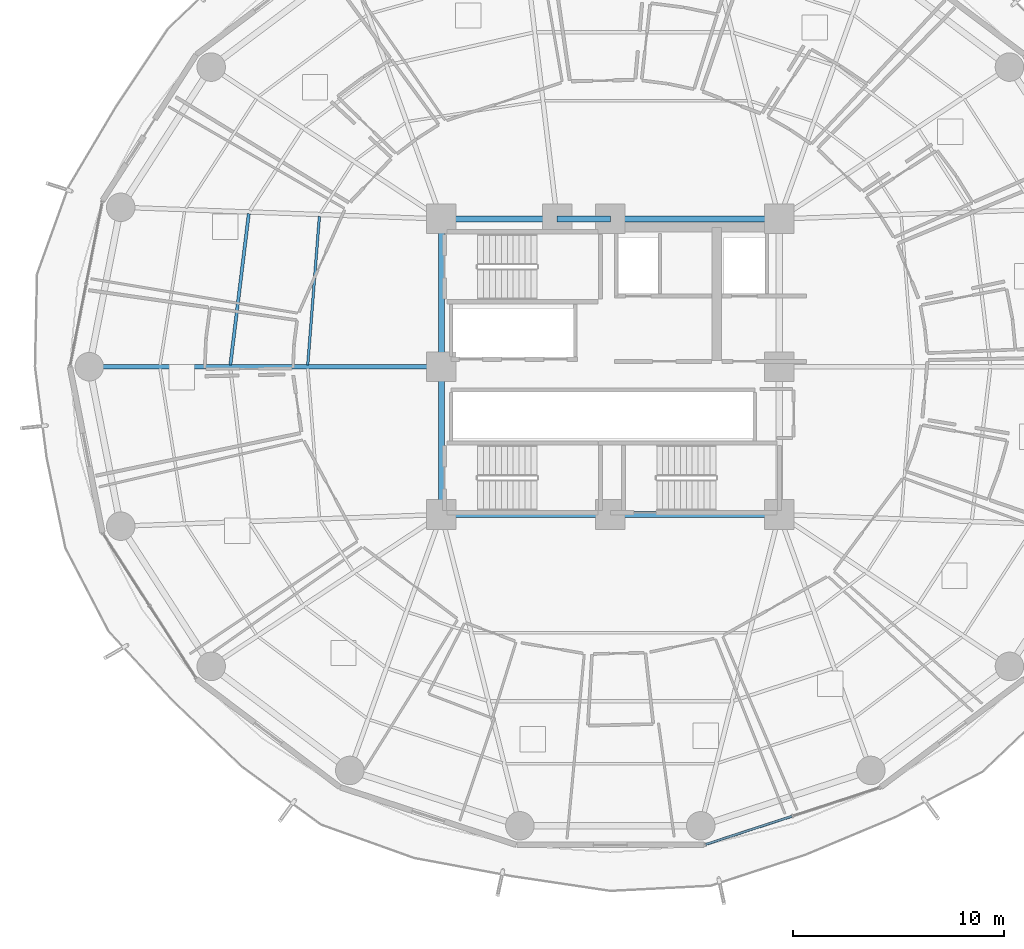
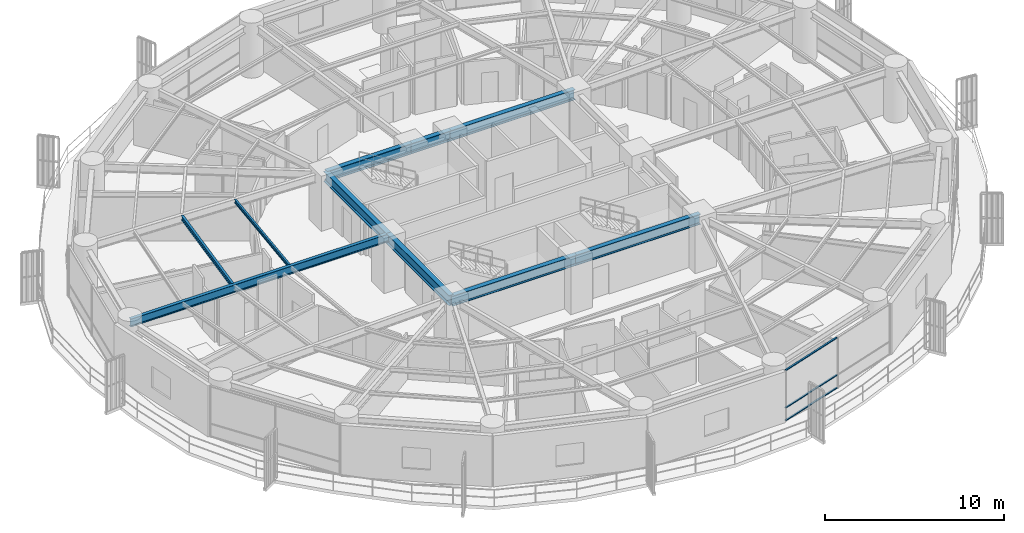
# One storey, part 9 of 35: 10 beams, 3 members, 1 element without a shape of its own.
"""IFC4 building model written with IfcOpenShell, lengths in metres."""

from ifc_helpers import new_model, si_unit, direction, frame, origin, origin_2d, place, context, subcontext, project, spatial, hollow_rectangle, i_section, extrude, material, layer, layer_set, material_profile, profile_set, type_object, element, aggregate, save


model = new_model("IFC4")

# Units and contexts
model_context = context("Model", 3, precision=1e-05, world=origin(), true_north=direction((0.0, 1.0)))
body_context = subcontext(model_context, "Body", "Model", "MODEL_VIEW")
ifc_project = project(units=[si_unit("LENGTHUNIT", "METRE"), si_unit("AREAUNIT", "SQUARE_METRE"), si_unit("VOLUMEUNIT", "CUBIC_METRE"), si_unit("PLANEANGLEUNIT", "RADIAN"), si_unit("MASSUNIT", "GRAM", prefix="KILO")], contexts=[model_context])

# Site, building, storey
site_placement = place(None, origin())
site = spatial("IfcSite", under=ifc_project, at=site_placement, CompositionType="ELEMENT")
building_placement = place(site_placement, origin())
building = spatial("IfcBuilding", under=site, at=building_placement, Name="Kelanora Arch Commons", CompositionType="ELEMENT")
storey_placement = place(building_placement, frame((0.0, 0.0, 91.35009765625)))
storey = spatial("IfcBuildingStorey", under=building, at=storey_placement, Name="L23", CompositionType="ELEMENT", Elevation=91.35009765625)

# Beams
ifc_material_1 = material(Name="Steel S355", Category="steel")
ifc_material_profile_1 = material_profile(ifc_material_1, i_section(OverallWidth=0.300048828125, OverallDepth=0.699951171875, WebThickness=0.01708984375, FlangeThickness=0.031982421875, FilletRadius=0.027099609375, at=origin_2d()), Name="HEB700")
ifc_profile_set_1 = profile_set([ifc_material_profile_1], Name="Steel S355")
beam_type_1 = type_object("IfcBeamType", Name="BM-CORE-HDR", PredefinedType="BEAM", material=ifc_profile_set_1)
for number, where, z_axis, x_axis, name in (
    (1, (66.0, 51.0, 3.139892578125), (1.0, 0.0, 0.0), (0.0, 1.0, 0.0), "Core Header Beam 01 L23"),
    (2, (74.0, 51.0, 3.139892578125), (1.0, 0.0, 0.0), (0.0, 1.0, 0.0), "Core Header Beam 02 L23"),
    (3, (82.0, 65.0, 3.139892578125), (-1.0, 0.0, 0.0), (0.0, -1.0, 0.0), "Core Header Beam 05 L23"),
):
    element("IfcBeam", number, at=place(storey_placement, frame(where, z_axis=z_axis, x_axis=x_axis)), inside=storey, type_object=beam_type_1, Name=name, PredefinedType="BEAM", context=body_context, shape_type="SweptSolid", body=[
        extrude(i_section(OverallWidth=0.300048828125, OverallDepth=0.699951171875, WebThickness=0.01708984375, FlangeThickness=0.031982421875, FilletRadius=0.027099609375, at=origin_2d()), origin(), (0.0, 0.0, 1.0), 8.0),
    ])
beam_1_placement = place(storey_placement, frame((74.0, 65.0, 3.139892578125), z_axis=(-1.0, 0.0, 0.0), x_axis=(0.0, -1.0, 0.0)))
element("IfcBeam", 4, at=beam_1_placement, inside=storey, type_object=beam_type_1, Name="Core Header Beam 06 L23", PredefinedType="BEAM", context=body_context, shape_type="SweptSolid", body=[
    extrude(i_section(OverallWidth=0.300048828125, OverallDepth=0.699951171875, WebThickness=0.01708984375, FlangeThickness=0.031982421875, FilletRadius=0.027099609375, at=origin_2d()), origin(), (0.0, 0.0, 1.0), 2.52001953125),
])
beam_2_placement = place(storey_placement, frame((71.47998046875, 65.0, 3.139892578125), z_axis=(-1.0, 0.0, 0.0), x_axis=(0.0, -1.0, 0.0)))
element("IfcBeam", 5, at=beam_2_placement, inside=storey, type_object=beam_type_1, Name="Core Header Beam 07 L23", PredefinedType="BEAM", context=body_context, shape_type="SweptSolid", body=[
    extrude(i_section(OverallWidth=0.300048828125, OverallDepth=0.699951171875, WebThickness=0.01708984375, FlangeThickness=0.031982421875, FilletRadius=0.027099609375, at=origin_2d()), origin(), (0.0, 0.0, 1.0), 5.47998046875),
])
for number, where, z_axis, x_axis, name in (
    (6, (66.0, 65.0, 3.139892578125), (0.0, -1.0, 0.0), (1.0, 0.0, 0.0), "Core Header Beam 08 L23"),
    (7, (66.0, 58.0, 3.139892578125), (0.0, -1.0, 0.0), (1.0, 0.0, 0.0), "Core Header Beam 09 L23"),
):
    element("IfcBeam", number, at=place(storey_placement, frame(where, z_axis=z_axis, x_axis=x_axis)), inside=storey, type_object=beam_type_1, Name=name, PredefinedType="BEAM", context=body_context, shape_type="SweptSolid", body=[
        extrude(i_section(OverallWidth=0.300048828125, OverallDepth=0.699951171875, WebThickness=0.01708984375, FlangeThickness=0.031982421875, FilletRadius=0.027099609375, at=origin_2d()), origin(), (0.0, 0.0, 1.0), 7.0),
    ])
ifc_material_profile_2 = material_profile(ifc_material_1, i_section(OverallWidth=0.14990234375, OverallDepth=0.300048828125, WebThickness=0.007080078125, FlangeThickness=0.0107421875, FilletRadius=0.014892578125, at=origin_2d()), Name="IPE300")
ifc_profile_set_2 = profile_set([ifc_material_profile_2], Name="Steel S355")
beam_type_2 = type_object("IfcBeamType", Name="BM-JST-01", PredefinedType="JOIST", material=ifc_profile_set_2)
beam_3_placement = place(storey_placement, frame((56.874755859375, 65.24658203125, 3.33984375), z_axis=(-0.120935645266, -0.992660349618, 0.0), x_axis=(0.992660349618, -0.120935645266, 0.0)))
element("IfcBeam", 8, at=beam_3_placement, inside=storey, type_object=beam_type_2, Name="Secondary Chord Joist BJB-16 L23", PredefinedType="JOIST", context=body_context, shape_type="SweptSolid", body=[
    extrude(i_section(OverallWidth=0.14990234375, OverallDepth=0.300048828125, WebThickness=0.007080078125, FlangeThickness=0.0107421875, FilletRadius=0.014892578125, at=origin_2d()), origin(), (0.0, 0.0, 1.0), 7.215087890625),
])
ifc_material_profile_3 = material_profile(ifc_material_1, i_section(OverallWidth=0.1201171875, OverallDepth=0.239990234375, WebThickness=0.006103515625, FlangeThickness=0.009765625, FilletRadius=0.014892578125, at=origin_2d()), Name="IPE240")
ifc_profile_set_3 = profile_set([ifc_material_profile_3], Name="Steel S355")
beam_type_3 = type_object("IfcBeamType", Name="BM-JST-02", PredefinedType="JOIST", material=ifc_profile_set_3)
beam_4_placement = place(storey_placement, frame((60.220458984375, 65.125, 3.369873046875), z_axis=(-0.078200677502, -0.996937637989, 0.0), x_axis=(0.996937637989, -0.078200677502, 0.0)))
element("IfcBeam", 9, at=beam_4_placement, inside=storey, type_object=beam_type_3, Name="Secondary Chord Joist BJA-16 L23", PredefinedType="JOIST", context=body_context, shape_type="SweptSolid", body=[
    extrude(i_section(OverallWidth=0.1201171875, OverallDepth=0.239990234375, WebThickness=0.006103515625, FlangeThickness=0.009765625, FilletRadius=0.014892578125, at=origin_2d()), origin(), (0.0, 0.0, 1.0), 7.06201171875),
])
ifc_material_profile_4 = material_profile(ifc_material_1, i_section(OverallWidth=0.2099609375, OverallDepth=0.550048828125, WebThickness=0.010986328125, FlangeThickness=0.01708984375, FilletRadius=0.02392578125, at=origin_2d()), Name="IPE550")
ifc_profile_set_4 = profile_set([ifc_material_profile_4], Name="Steel S355")
beam_type_4 = type_object("IfcBeamType", Name="BM-RAD-Z2", PredefinedType="BEAM", material=ifc_profile_set_4)
beam_5_placement = place(storey_placement, frame((66.0, 58.0, 3.21484375), z_axis=(-1.0, 0.0, 0.0), x_axis=(0.0, -1.0, 0.0)))
element("IfcBeam", 10, at=beam_5_placement, inside=storey, type_object=beam_type_4, Name="Radial Floor Girder BR-18 L23", PredefinedType="BEAM", context=body_context, shape_type="SweptSolid", body=[
    extrude(i_section(OverallWidth=0.2099609375, OverallDepth=0.550048828125, WebThickness=0.010986328125, FlangeThickness=0.01708984375, FilletRadius=0.02392578125, at=origin_2d()), origin(), (0.0, 0.0, 1.0), 16.679931640625),
])

# Curtain wall, members
ifc_material_2 = material(Name="Terracotta ceramic-fritted low-E glass and aluminium", Category="masonry")
ifc_layer = layer(ifc_material_2, 0.159912109375)
ifc_layer_set = layer_set([ifc_layer], Name="Terracotta ceramic-fritted low-E glass and aluminium")
curtain_wall_type = type_object("IfcCurtainWallType", Name="CW-SYS-01", PredefinedType="NOTDEFINED", material=ifc_layer_set)
curtain_wall_placement = place(storey_placement, origin())
curtain_wall = element("IfcCurtainWall", 11, at=curtain_wall_placement, inside=storey, type_object=curtain_wall_type, Name="Unitised Curtain Wall L23-B14", PredefinedType="NOTDEFINED")
ifc_material_3 = material(Name="Powder-coated aluminium terracotta", Category="masonry")
ifc_material_profile_5 = material_profile(ifc_material_3, hollow_rectangle(XDim=0.1201171875, YDim=0.06005859375, WallThickness=0.0048828125, InnerFilletRadius=0.0048828125, OuterFilletRadius=0.010009765625, at=origin_2d()), Name="CWT120x60")
ifc_profile_set_5 = profile_set([ifc_material_profile_5], Name="Powder-coated aluminium terracotta")
member_type = type_object("IfcMemberType", Name="CWT-STD", PredefinedType="USERDEFINED", material=ifc_profile_set_5)
member_1_placement = place(storey_placement, frame((78.516845703125, 35.372802734375, 0.02978515625), z_axis=(0.950477544745, 0.31079323824, 0.0), x_axis=(-0.31079323824, 0.950477544745, 0.0)))
member_1 = element("IfcMember", 12, at=member_1_placement, type_object=member_type, Name="CW-01 transom 1.1", ObjectType="TRANSOM", PredefinedType="USERDEFINED", context=body_context, shape_type="SweptSolid", body=[
    extrude(hollow_rectangle(XDim=0.1201171875, YDim=0.06005859375, WallThickness=0.0048828125, InnerFilletRadius=0.0048828125, OuterFilletRadius=0.010009765625, at=origin_2d()), origin(), (0.0, 0.0, 1.0), 4.289794921875),
])
member_2_placement = place(storey_placement, frame((78.516845703125, 35.372802734375, 0.89990234375), z_axis=(0.950477544745, 0.31079323824, 0.0), x_axis=(-0.31079323824, 0.950477544745, 0.0)))
member_2 = element("IfcMember", 13, at=member_2_placement, type_object=member_type, Name="CW-01 transom 1.2", ObjectType="TRANSOM", PredefinedType="USERDEFINED", context=body_context, shape_type="SweptSolid", body=[
    extrude(hollow_rectangle(XDim=0.1201171875, YDim=0.06005859375, WallThickness=0.0048828125, InnerFilletRadius=0.0048828125, OuterFilletRadius=0.010009765625, at=origin_2d()), origin(), (0.0, 0.0, 1.0), 4.289794921875),
])
member_3_placement = place(storey_placement, frame((78.516845703125, 35.372802734375, 3.44482421875), z_axis=(0.950477544745, 0.31079323824, 0.0), x_axis=(-0.31079323824, 0.950477544745, 0.0)))
member_3 = element("IfcMember", 14, at=member_3_placement, type_object=member_type, Name="CW-01 transom 1.3", ObjectType="TRANSOM", PredefinedType="USERDEFINED", context=body_context, shape_type="SweptSolid", body=[
    extrude(hollow_rectangle(XDim=0.1201171875, YDim=0.06005859375, WallThickness=0.0048828125, InnerFilletRadius=0.0048828125, OuterFilletRadius=0.010009765625, at=origin_2d()), origin(), (0.0, 0.0, 1.0), 4.289794921875),
])
aggregate(curtain_wall, [member_1, member_2, member_3])

save(model, "model.ifc")
